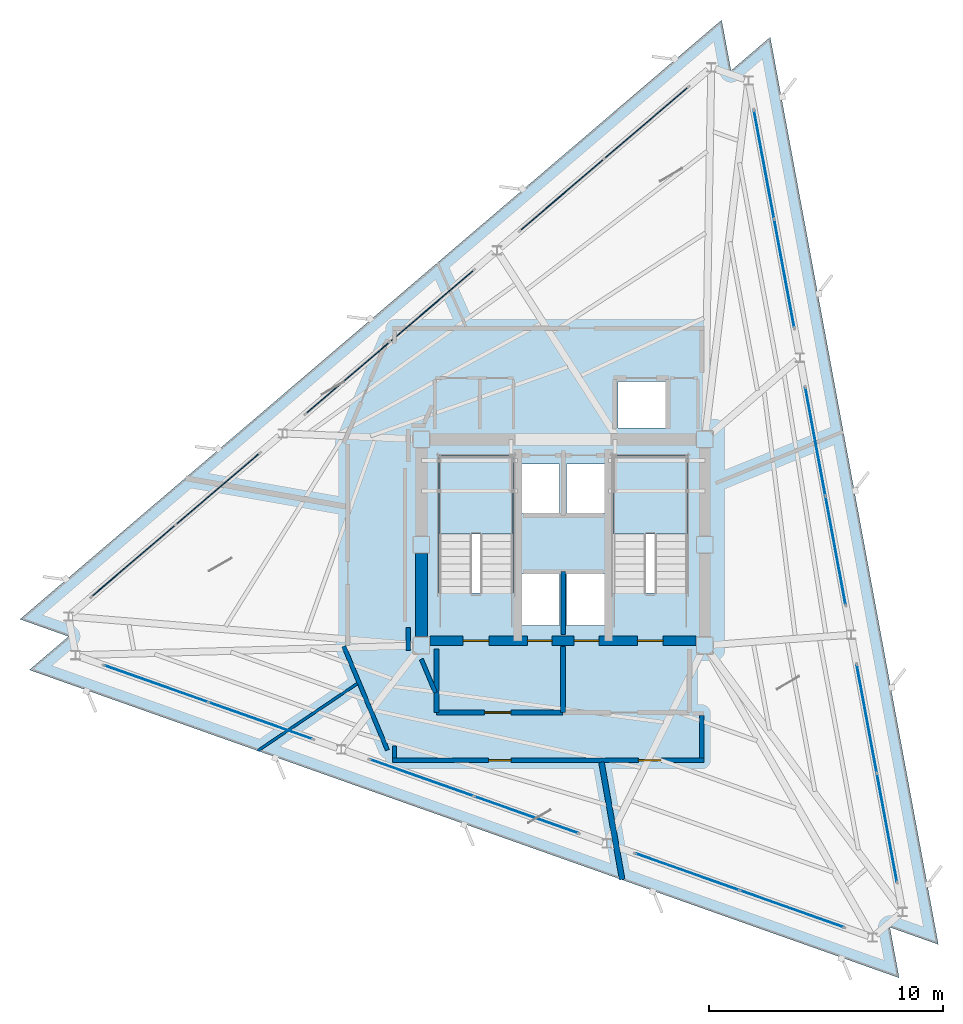
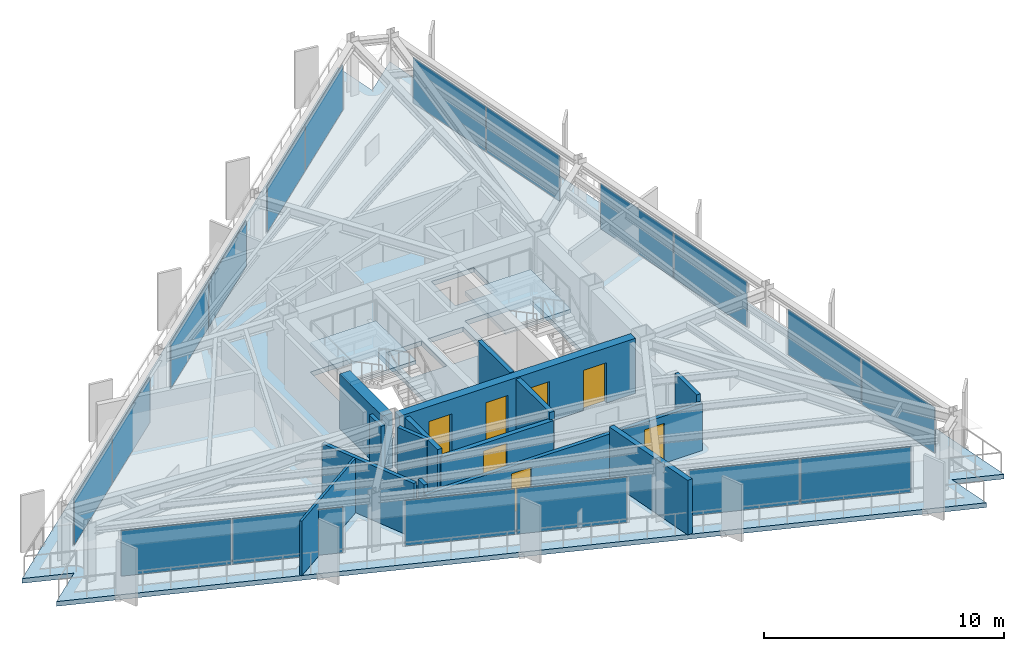
# One storey, part 8 of 14: 18 plates, 14 walls, 7 doors, 3 slabs, 7 openings, 11 elements without a shape of their own.
"""IFC4 building model written with IfcOpenShell, lengths in metres."""

from ifc_helpers import new_model, si_unit, direction, frame, frame_2d, origin, origin_2d, place, context, subcontext, project, spatial, polyline, rectangle, outline, extrude, material, layer, layer_set, type_object, element, fill, aggregate, save


model = new_model("IFC4")

# Units and contexts
model_context = context("Model", 3, precision=1e-05, world=origin(), true_north=direction((0.0, 1.0)))
body_context = subcontext(model_context, "Body", "Model", "MODEL_VIEW")
ifc_project = project(units=[si_unit("LENGTHUNIT", "METRE"), si_unit("AREAUNIT", "SQUARE_METRE"), si_unit("VOLUMEUNIT", "CUBIC_METRE"), si_unit("PLANEANGLEUNIT", "RADIAN"), si_unit("MASSUNIT", "GRAM", prefix="KILO")], contexts=[model_context])

# Site, building, storey
site_placement = place(None, origin())
site = spatial("IfcSite", under=ifc_project, at=site_placement, CompositionType="ELEMENT")
building_placement = place(site_placement, origin())
building = spatial("IfcBuilding", under=site, at=building_placement, Name="Rocaltana Carrier Exchange", CompositionType="ELEMENT")
storey_placement = place(building_placement, frame((0.0, 0.0, 187.52001953125)))
storey = spatial("IfcBuildingStorey", under=building, at=storey_placement, Name="L59", CompositionType="ELEMENT", Elevation=187.52001953125)

# Curtain wall, plates
ifc_material_1 = material(Name="Aluminium 6063-T6", Category="aluminium")
ifc_layer_1 = layer(ifc_material_1, 0.135009765625)
ifc_layer_set_1 = layer_set([ifc_layer_1], Name="Aluminium 6063-T6")
curtain_wall_type = type_object("IfcCurtainWallType", Name="Upper-Mid Acoustic Curtain Wall CW-04", PredefinedType="NOTDEFINED", material=ifc_layer_set_1)
curtain_wall_1_placement = place(storey_placement, origin())
curtain_wall_1 = element("IfcCurtainWall", 1, at=curtain_wall_1_placement, inside=storey, type_object=curtain_wall_type, Name="L59 CW-04 Run CW-L59-F1S1", PredefinedType="NOTDEFINED")
ifc_material_2 = material(Name="Tempered Laminated Glass", Category="glass")
ifc_layer_2 = layer(ifc_material_2, 0.0380859375)
ifc_layer_set_2 = layer_set([ifc_layer_2], Name="Tempered Laminated Glass")
plate_type = type_object("IfcPlateType", Name="CW-04 Stone-Insulated Vision Panel", PredefinedType="CURTAIN_PANEL", material=ifc_layer_set_2)
plate_1_placement = place(storey_placement, frame((13.827392578125, -12.0830078125, 0.06494140625), z_axis=(0.0, 0.0, 1.0), x_axis=(-0.182234247149, 0.98325514449, 0.0)))
plate_1 = element("IfcPlate", 2, at=plate_1_placement, type_object=plate_type, Name="CW-04 panel 1.1", PredefinedType="CURTAIN_PANEL", context=body_context, shape_type="SweptSolid", body=[
    extrude(rectangle(XDim=4.669189453125, YDim=0.0380859375, at=origin_2d()), origin(), (0.0, 0.0, 1.0), 2.318115234375),
])
plate_2_placement = place(storey_placement, frame((12.964599609375, -7.427978515625, 0.06494140625), z_axis=(0.0, 0.0, 1.0), x_axis=(-0.182234247149, 0.98325514449, 0.0)))
plate_2 = element("IfcPlate", 3, at=plate_2_placement, type_object=plate_type, Name="CW-04 panel 2.1", PredefinedType="CURTAIN_PANEL", context=body_context, shape_type="SweptSolid", body=[
    extrude(rectangle(XDim=4.669189453125, YDim=0.0380859375, at=origin_2d()), origin(), (0.0, 0.0, 1.0), 2.318115234375),
])
aggregate(curtain_wall_1, [plate_1, plate_2])

curtain_wall_2_placement = place(storey_placement, origin())
curtain_wall_2 = element("IfcCurtainWall", 4, at=curtain_wall_2_placement, inside=storey, type_object=curtain_wall_type, Name="L59 CW-04 Run CW-L59-F1S2", PredefinedType="NOTDEFINED")
plate_3_placement = place(storey_placement, frame((11.634521484375, -0.2509765625, 0.06494140625), z_axis=(0.0, 0.0, 1.0), x_axis=(-0.182236126712, 0.983254796134, 0.0)))
plate_3 = element("IfcPlate", 5, at=plate_3_placement, type_object=plate_type, Name="CW-04 panel 1.1", PredefinedType="CURTAIN_PANEL", context=body_context, shape_type="SweptSolid", body=[
    extrude(rectangle(XDim=4.669189453125, YDim=0.0380859375, at=origin_2d()), origin(), (0.0, 0.0, 1.0), 2.318115234375),
])
plate_4_placement = place(storey_placement, frame((10.771728515625, 4.40380859375, 0.06494140625), z_axis=(0.0, 0.0, 1.0), x_axis=(-0.182236126712, 0.983254796134, 0.0)))
plate_4 = element("IfcPlate", 6, at=plate_4_placement, type_object=plate_type, Name="CW-04 panel 2.1", PredefinedType="CURTAIN_PANEL", context=body_context, shape_type="SweptSolid", body=[
    extrude(rectangle(XDim=4.669189453125, YDim=0.0380859375, at=origin_2d()), origin(), (0.0, 0.0, 1.0), 2.318115234375),
])
aggregate(curtain_wall_2, [plate_3, plate_4])

curtain_wall_3_placement = place(storey_placement, origin())
curtain_wall_3 = element("IfcCurtainWall", 7, at=curtain_wall_3_placement, inside=storey, type_object=curtain_wall_type, Name="L59 CW-04 Run CW-L59-F1S3", PredefinedType="NOTDEFINED")
plate_5_placement = place(storey_placement, frame((9.441650390625, 11.580810546875, 0.06494140625), z_axis=(0.0, 0.0, 1.0), x_axis=(-0.182236126712, 0.983254796134, 0.0)))
plate_5 = element("IfcPlate", 8, at=plate_5_placement, type_object=plate_type, Name="CW-04 panel 1.1", PredefinedType="CURTAIN_PANEL", context=body_context, shape_type="SweptSolid", body=[
    extrude(rectangle(XDim=4.669189453125, YDim=0.0380859375, at=origin_2d()), origin(), (0.0, 0.0, 1.0), 2.318115234375),
])
plate_6_placement = place(storey_placement, frame((8.578857421875, 16.235595703125, 0.06494140625), z_axis=(0.0, 0.0, 1.0), x_axis=(-0.182236126712, 0.983254796134, 0.0)))
plate_6 = element("IfcPlate", 9, at=plate_6_placement, type_object=plate_type, Name="CW-04 panel 2.1", PredefinedType="CURTAIN_PANEL", context=body_context, shape_type="SweptSolid", body=[
    extrude(rectangle(XDim=4.669189453125, YDim=0.0380859375, at=origin_2d()), origin(), (0.0, 0.0, 1.0), 2.318115234375),
])
aggregate(curtain_wall_3, [plate_5, plate_6])

curtain_wall_4_placement = place(storey_placement, origin())
curtain_wall_4 = element("IfcCurtainWall", 10, at=curtain_wall_4_placement, inside=storey, type_object=curtain_wall_type, Name="L59 CW-04 Run CW-L59-F2S1", PredefinedType="NOTDEFINED")
plate_7_placement = place(storey_placement, frame((3.55029296875, 18.016357421875, 0.06494140625), z_axis=(0.0, 0.0, 1.0), x_axis=(-0.760406053922, -0.649447944918, 0.0)))
plate_7 = element("IfcPlate", 11, at=plate_7_placement, type_object=plate_type, Name="CW-04 panel 1.1", PredefinedType="CURTAIN_PANEL", context=body_context, shape_type="SweptSolid", body=[
    extrude(rectangle(XDim=4.669189453125, YDim=0.0380859375, at=origin_2d()), origin(), (0.0, 0.0, 1.0), 2.318115234375),
])
plate_8_placement = place(storey_placement, frame((-0.049560546875, 14.94189453125, 0.06494140625), z_axis=(0.0, 0.0, 1.0), x_axis=(-0.760406053922, -0.649447944918, 0.0)))
plate_8 = element("IfcPlate", 12, at=plate_8_placement, type_object=plate_type, Name="CW-04 panel 2.1", PredefinedType="CURTAIN_PANEL", context=body_context, shape_type="SweptSolid", body=[
    extrude(rectangle(XDim=4.669189453125, YDim=0.0380859375, at=origin_2d()), origin(), (0.0, 0.0, 1.0), 2.318115234375),
])
aggregate(curtain_wall_4, [plate_7, plate_8])

curtain_wall_5_placement = place(storey_placement, origin())
curtain_wall_5 = element("IfcCurtainWall", 13, at=curtain_wall_5_placement, inside=storey, type_object=curtain_wall_type, Name="L59 CW-04 Run CW-L59-F2S2", PredefinedType="NOTDEFINED")
plate_9_placement = place(storey_placement, frame((-5.599853515625, 10.201416015625, 0.06494140625), z_axis=(0.0, 0.0, 1.0), x_axis=(-0.760400873756, -0.649454010067, 0.0)))
plate_9 = element("IfcPlate", 14, at=plate_9_placement, type_object=plate_type, Name="CW-04 panel 1.1", PredefinedType="CURTAIN_PANEL", context=body_context, shape_type="SweptSolid", body=[
    extrude(rectangle(XDim=4.669189453125, YDim=0.0380859375, at=origin_2d()), origin(), (0.0, 0.0, 1.0), 2.318115234375),
])
plate_10_placement = place(storey_placement, frame((-9.19970703125, 7.126708984375, 0.06494140625), z_axis=(0.0, 0.0, 1.0), x_axis=(-0.760400873756, -0.649454010067, 0.0)))
plate_10 = element("IfcPlate", 15, at=plate_10_placement, type_object=plate_type, Name="CW-04 panel 2.1", PredefinedType="CURTAIN_PANEL", context=body_context, shape_type="SweptSolid", body=[
    extrude(rectangle(XDim=4.669189453125, YDim=0.0380859375, at=origin_2d()), origin(), (0.0, 0.0, 1.0), 2.318115234375),
])
aggregate(curtain_wall_5, [plate_9, plate_10])

curtain_wall_6_placement = place(storey_placement, origin())
curtain_wall_6 = element("IfcCurtainWall", 16, at=curtain_wall_6_placement, inside=storey, type_object=curtain_wall_type, Name="L59 CW-04 Run CW-L59-F2S3", PredefinedType="NOTDEFINED")
plate_11_placement = place(storey_placement, frame((-14.75, 2.38623046875, 0.06494140625), z_axis=(0.0, 0.0, 1.0), x_axis=(-0.760406053922, -0.649447944918, 0.0)))
plate_11 = element("IfcPlate", 17, at=plate_11_placement, type_object=plate_type, Name="CW-04 panel 1.1", PredefinedType="CURTAIN_PANEL", context=body_context, shape_type="SweptSolid", body=[
    extrude(rectangle(XDim=4.669189453125, YDim=0.0380859375, at=origin_2d()), origin(), (0.0, 0.0, 1.0), 2.318115234375),
])
plate_12_placement = place(storey_placement, frame((-18.349853515625, -0.688232421875, 0.06494140625), z_axis=(0.0, 0.0, 1.0), x_axis=(-0.760406053922, -0.649447944918, 0.0)))
plate_12 = element("IfcPlate", 18, at=plate_12_placement, type_object=plate_type, Name="CW-04 panel 2.1", PredefinedType="CURTAIN_PANEL", context=body_context, shape_type="SweptSolid", body=[
    extrude(rectangle(XDim=4.669189453125, YDim=0.0380859375, at=origin_2d()), origin(), (0.0, 0.0, 1.0), 2.318115234375),
])
aggregate(curtain_wall_6, [plate_11, plate_12])

curtain_wall_7_placement = place(storey_placement, origin())
curtain_wall_7 = element("IfcCurtainWall", 19, at=curtain_wall_7_placement, inside=storey, type_object=curtain_wall_type, Name="L59 CW-04 Run CW-L59-F3S1", PredefinedType="NOTDEFINED")
plate_13_placement = place(storey_placement, frame((-17.3779296875, -5.93359375, 0.06494140625), z_axis=(0.0, 0.0, 1.0), x_axis=(0.942645516582, -0.333795491383, 0.0)))
plate_13 = element("IfcPlate", 20, at=plate_13_placement, type_object=plate_type, Name="CW-04 panel 1.1", PredefinedType="CURTAIN_PANEL", context=body_context, shape_type="SweptSolid", body=[
    extrude(rectangle(XDim=4.669189453125, YDim=0.0380859375, at=origin_2d()), origin(), (0.0, 0.0, 1.0), 2.318115234375),
])
plate_14_placement = place(storey_placement, frame((-12.915283203125, -7.513671875, 0.06494140625), z_axis=(0.0, 0.0, 1.0), x_axis=(0.942645516582, -0.333795491383, 0.0)))
plate_14 = element("IfcPlate", 21, at=plate_14_placement, type_object=plate_type, Name="CW-04 panel 2.1", PredefinedType="CURTAIN_PANEL", context=body_context, shape_type="SweptSolid", body=[
    extrude(rectangle(XDim=4.669189453125, YDim=0.0380859375, at=origin_2d()), origin(), (0.0, 0.0, 1.0), 2.318115234375),
])
aggregate(curtain_wall_7, [plate_13, plate_14])

curtain_wall_8_placement = place(storey_placement, origin())
curtain_wall_8 = element("IfcCurtainWall", 22, at=curtain_wall_8_placement, inside=storey, type_object=curtain_wall_type, Name="L59 CW-04 Run CW-L59-F3S2", PredefinedType="NOTDEFINED")
plate_15_placement = place(storey_placement, frame((-6.03466796875, -9.9501953125, 0.06494140625), z_axis=(0.0, 0.0, 1.0), x_axis=(0.942644347833, -0.333798791936, 0.0)))
plate_15 = element("IfcPlate", 23, at=plate_15_placement, type_object=plate_type, Name="CW-04 panel 1.1", PredefinedType="CURTAIN_PANEL", context=body_context, shape_type="SweptSolid", body=[
    extrude(rectangle(XDim=4.669189453125, YDim=0.0380859375, at=origin_2d()), origin(), (0.0, 0.0, 1.0), 2.318115234375),
])
plate_16_placement = place(storey_placement, frame((-1.572021484375, -11.530517578125, 0.06494140625), z_axis=(0.0, 0.0, 1.0), x_axis=(0.942644347833, -0.333798791936, 0.0)))
plate_16 = element("IfcPlate", 24, at=plate_16_placement, type_object=plate_type, Name="CW-04 panel 2.1", PredefinedType="CURTAIN_PANEL", context=body_context, shape_type="SweptSolid", body=[
    extrude(rectangle(XDim=4.669189453125, YDim=0.0380859375, at=origin_2d()), origin(), (0.0, 0.0, 1.0), 2.318115234375),
])
aggregate(curtain_wall_8, [plate_15, plate_16])

curtain_wall_9_placement = place(storey_placement, origin())
curtain_wall_9 = element("IfcCurtainWall", 25, at=curtain_wall_9_placement, inside=storey, type_object=curtain_wall_type, Name="L59 CW-04 Run CW-L59-F3S3", PredefinedType="NOTDEFINED")
plate_17_placement = place(storey_placement, frame((5.308349609375, -13.967041015625, 0.06494140625), z_axis=(0.0, 0.0, 1.0), x_axis=(0.942644347833, -0.333798791936, 0.0)))
plate_17 = element("IfcPlate", 26, at=plate_17_placement, type_object=plate_type, Name="CW-04 panel 1.1", PredefinedType="CURTAIN_PANEL", context=body_context, shape_type="SweptSolid", body=[
    extrude(rectangle(XDim=4.669189453125, YDim=0.0380859375, at=origin_2d()), origin(), (0.0, 0.0, 1.0), 2.318115234375),
])
plate_18_placement = place(storey_placement, frame((9.77099609375, -15.54736328125, 0.06494140625), z_axis=(0.0, 0.0, 1.0), x_axis=(0.942644347833, -0.333798791936, 0.0)))
plate_18 = element("IfcPlate", 27, at=plate_18_placement, type_object=plate_type, Name="CW-04 panel 2.1", PredefinedType="CURTAIN_PANEL", context=body_context, shape_type="SweptSolid", body=[
    extrude(rectangle(XDim=4.669189453125, YDim=0.0380859375, at=origin_2d()), origin(), (0.0, 0.0, 1.0), 2.318115234375),
])
aggregate(curtain_wall_9, [plate_17, plate_18])

# Slab
ifc_material_3 = material(Name="Concrete C50/60", Category="concrete")
ifc_layer_3 = layer(ifc_material_3, 0.239990234375)
ifc_layer_set_3 = layer_set([ifc_layer_3], Name="Concrete C50/60")
slab_type_1 = type_object("IfcSlabType", Name="High-Zone Tower Slab 240", PredefinedType="FLOOR", material=ifc_layer_set_3)
slab_1_placement = place(storey_placement, frame((0.0, 0.0, -0.239990234375)))
element("IfcSlab", 28, at=slab_1_placement, inside=storey, type_object=slab_type_1, Name="L59 Structural Floor Slab", PredefinedType="FLOOR", context=body_context, shape_type="SweptSolid", body=[
    extrude(outline(polyline([(14.349365234375, -18.49462890625), (13.948486328125, -16.33154296875), (16.022216796875, -17.06591796875), (8.84228515625, 21.67431640625), (7.169189453125, 20.24560546875), (6.768310546875, 22.40869140625), (-23.191650390625, -3.1796875), (-21.117919921875, -3.9140625), (-22.790771484375, -5.3427734375), (14.349365234375, -18.49462890625)]), holes=[polyline([(-5.300048828125, -2.06005859375), (-2.139892578125, -2.06005859375), (-2.139892578125, 3.800048828125), (-5.300048828125, 3.800048828125), (-5.300048828125, -2.06005859375)]), polyline([(2.139892578125, -2.06005859375), (5.300048828125, -2.06005859375), (5.300048828125, 3.800048828125), (2.139892578125, 3.800048828125), (2.139892578125, -2.06005859375)]), polyline([(-1.85009765625, -3.449951171875), (-0.14990234375, -3.449951171875), (-0.14990234375, -1.25), (-1.85009765625, -1.25), (-1.85009765625, -3.449951171875)]), polyline([(0.14990234375, -3.449951171875), (1.85009765625, -3.449951171875), (1.85009765625, -1.25), (0.14990234375, -1.25), (0.14990234375, -3.449951171875)]), polyline([(2.35009765625, 4.97998046875), (4.39990234375, 4.97998046875), (4.39990234375, 6.97998046875), (2.35009765625, 6.97998046875), (2.35009765625, 4.97998046875)]), polyline([(-1.85009765625, 1.35009765625), (-0.14990234375, 1.35009765625), (-0.14990234375, 3.449951171875), (-1.85009765625, 3.449951171875), (-1.85009765625, 1.35009765625)]), polyline([(0.14990234375, 1.35009765625), (1.85009765625, 1.35009765625), (1.85009765625, 3.449951171875), (0.14990234375, 3.449951171875), (0.14990234375, 1.35009765625)])]), origin(), (0.0, 0.0, 1.0), 0.239990234375),
])

# Stair, slab
ifc_material_4 = material(Name="Precast concrete C45/55", Category="concrete")
stair_type = type_object("IfcStairType", Name="Standard Dog-Leg Stair 160", PredefinedType="HALF_TURN_STAIR", material=ifc_material_4)
stair_1_placement = place(storey_placement, origin())
stair_1 = element("IfcStair", 29, at=stair_1_placement, inside=storey, type_object=stair_type, Name="L59 Core West Exit Stair ST-1", PredefinedType="HALF_TURN_STAIR")
ifc_material_5 = material(Name="Precast concrete C45/55", Category="concrete")
ifc_layer_4 = layer(ifc_material_5, 0.199951171875)
ifc_layer_set_4 = layer_set([ifc_layer_4], Name="Precast concrete C45/55")
slab_type_2 = type_object("IfcSlabType", Name="Precast Stair Half-Landing 200", PredefinedType="LANDING", material=ifc_layer_set_4)
slab_2_placement = place(storey_placement, frame((0.0, 0.0, 1.320068359375)))
slab_2 = element("IfcSlab", 30, at=slab_2_placement, type_object=slab_type_2, Name="ST-1 landing 1", PredefinedType="LANDING", context=body_context, shape_type="SweptSolid", body=[
    extrude(outline(polyline([(-2.139892578125, 0.4599609375), (-2.139892578125, 3.800048828125), (-5.300048828125, 3.800048828125), (-5.300048828125, 0.4599609375), (-2.139892578125, 0.4599609375)])), origin(), (0.0, 0.0, 1.0), 0.199951171875),
])
aggregate(stair_1, [slab_2])

stair_2_placement = place(storey_placement, origin())
stair_2 = element("IfcStair", 31, at=stair_2_placement, inside=storey, type_object=stair_type, Name="L59 Core East Exit Stair ST-2", PredefinedType="HALF_TURN_STAIR")
slab_3_placement = place(storey_placement, frame((0.0, 0.0, 1.320068359375)))
slab_3 = element("IfcSlab", 32, at=slab_3_placement, type_object=slab_type_2, Name="ST-2 landing 1", PredefinedType="LANDING", context=body_context, shape_type="SweptSolid", body=[
    extrude(outline(polyline([(5.300048828125, 0.4599609375), (5.300048828125, 3.800048828125), (2.139892578125, 3.800048828125), (2.139892578125, 0.4599609375), (5.300048828125, 0.4599609375)])), origin(), (0.0, 0.0, 1.0), 0.199951171875),
])
aggregate(stair_2, [slab_3])

# Wall, openings, doors
ifc_material_6 = material(Name="Concrete C50/60", Category="concrete")
ifc_layer_5 = layer(ifc_material_6, 0.39990234375)
ifc_layer_set_5 = layer_set([ifc_layer_5], Name="Concrete C50/60")
wall_type_1 = type_object("IfcWallType", Name="Core Internal Shear Wall 400", PredefinedType="SHEAR", material=ifc_layer_set_5)
wall_1_placement = place(storey_placement, frame((-5.675048828125, -4.10009765625, 0.0), z_axis=(0.0, 0.0, 1.0), x_axis=(1.0, 0.0, 0.0)))
wall_1 = element("IfcWall", 33, at=wall_1_placement, inside=storey, type_object=wall_type_1, Name="L59 Core Shear Wall CW-S", PredefinedType="SHEAR", context=body_context, shape_type="SweptSolid", body=[
    extrude(rectangle(XDim=11.35009765625, YDim=0.39990234375, at=frame_2d((5.675048828125, 0.0))), origin(), (0.0, 0.0, 1.0), 2.798095703125),
])
opening_1_placement = place(wall_1_placement, frame((1.405029296875, 0.0, 0.0)))
opening_1 = element("IfcOpeningElement", 34, at=opening_1_placement, cuts=wall_1, Name="Opening D-ST110", PredefinedType="OPENING", context=body_context, shape_type="SweptSolid", body=[
    extrude(rectangle(XDim=1.10009765625, YDim=2.0400390625, at=frame_2d((0.550048828125, 1.02001953125))), frame((0.0, 0.2099609375, 0.0), z_axis=(0.0, -1.0, 0.0), x_axis=(1.0, 0.0, 0.0)), (0.0, 0.0, 1.0), 0.419921875),
])
opening_2_placement = place(wall_1_placement, frame((8.844970703125, 0.0, 0.0)))
opening_2 = element("IfcOpeningElement", 35, at=opening_2_placement, cuts=wall_1, Name="Opening D-ST110", PredefinedType="OPENING", context=body_context, shape_type="SweptSolid", body=[
    extrude(rectangle(XDim=1.10009765625, YDim=2.0400390625, at=frame_2d((0.550048828125, 1.02001953125))), frame((0.0, 0.2099609375, 0.0), z_axis=(0.0, -1.0, 0.0), x_axis=(1.0, 0.0, 0.0)), (0.0, 0.0, 1.0), 0.419921875),
])
opening_3_placement = place(wall_1_placement, frame((4.14501953125, 0.0, 0.0)))
opening_3 = element("IfcOpeningElement", 36, at=opening_3_placement, cuts=wall_1, Name="Opening LD-110", PredefinedType="OPENING", context=body_context, shape_type="SweptSolid", body=[
    extrude(rectangle(XDim=1.06005859375, YDim=2.0400390625, at=frame_2d((0.530029296875, 1.02001953125))), frame((0.0, 0.2099609375, 0.0), z_axis=(0.0, -1.0, 0.0), x_axis=(1.0, 0.0, 0.0)), (0.0, 0.0, 1.0), 0.419921875),
])
opening_4_placement = place(wall_1_placement, frame((6.14501953125, 0.0, 0.0)))
opening_4 = element("IfcOpeningElement", 37, at=opening_4_placement, cuts=wall_1, Name="Opening LD-110", PredefinedType="OPENING", context=body_context, shape_type="SweptSolid", body=[
    extrude(rectangle(XDim=1.06005859375, YDim=2.0400390625, at=frame_2d((0.530029296875, 1.02001953125))), frame((0.0, 0.2099609375, 0.0), z_axis=(0.0, -1.0, 0.0), x_axis=(1.0, 0.0, 0.0)), (0.0, 0.0, 1.0), 0.419921875),
])
ifc_material_7 = material(Name="Hollow Metal Fire Door Assembly", Category="steel")
door_type_1 = type_object("IfcDoorType", Name="Exit Stair Fire Door 1100x2040 FD90S", OperationType="NOTDEFINED", PredefinedType="DOOR", material=ifc_material_7)
door_1_placement = place(opening_1_placement, origin())
door_1 = element("IfcDoor", 38, at=door_1_placement, inside=storey, type_object=door_type_1, Name="L59 Exit Stair ST1 Fire Door", OperationType="SINGLE_SWING_RIGHT", OverallHeight=2.0400390625, OverallWidth=1.10009765625, PredefinedType="DOOR", context=body_context, shape_type="SweptSolid", body=[
    extrude(rectangle(XDim=1.10009765625, YDim=2.0400390625, at=frame_2d((0.550048828125, 1.02001953125))), frame((0.0, 0.02490234375, 0.0), z_axis=(0.0, -1.0, 0.0), x_axis=(1.0, 0.0, 0.0)), (0.0, 0.0, 1.0), 0.050048828125),
])
fill(opening_1, door_1)
door_2_placement = place(opening_2_placement, origin())
door_2 = element("IfcDoor", 39, at=door_2_placement, inside=storey, type_object=door_type_1, Name="L59 Exit Stair ST2 Fire Door", OperationType="SINGLE_SWING_LEFT", OverallHeight=2.0400390625, OverallWidth=1.10009765625, PredefinedType="DOOR", context=body_context, shape_type="SweptSolid", body=[
    extrude(rectangle(XDim=1.10009765625, YDim=2.0400390625, at=frame_2d((0.550048828125, 1.02001953125))), frame((0.0, 0.02490234375, 0.0), z_axis=(0.0, -1.0, 0.0), x_axis=(1.0, 0.0, 0.0)), (0.0, 0.0, 1.0), 0.050048828125),
])
fill(opening_2, door_2)
ifc_material_8 = material(Name="Brushed Stainless Sliding Door Leaf", Category="steel")
door_type_2 = type_object("IfcDoorType", Name="Lift Landing Sliding Door 1060x2040", OperationType="NOTDEFINED", PredefinedType="DOOR", material=ifc_material_8)
door_3_placement = place(opening_3_placement, origin())
door_3 = element("IfcDoor", 40, at=door_3_placement, inside=storey, type_object=door_type_2, Name="L59 Firefighting Lift FFL1 Landing Door", OperationType="SLIDING_TO_LEFT", OverallHeight=2.0400390625, OverallWidth=1.06005859375, PredefinedType="DOOR", context=body_context, shape_type="SweptSolid", body=[
    extrude(rectangle(XDim=1.06005859375, YDim=2.0400390625, at=frame_2d((0.530029296875, 1.02001953125))), frame((0.0, 0.02490234375, 0.0), z_axis=(0.0, -1.0, 0.0), x_axis=(1.0, 0.0, 0.0)), (0.0, 0.0, 1.0), 0.050048828125),
])
fill(opening_3, door_3)
door_4_placement = place(opening_4_placement, origin())
door_4 = element("IfcDoor", 41, at=door_4_placement, inside=storey, type_object=door_type_2, Name="L59 Firefighting Lift FFL2 Landing Door", OperationType="SLIDING_TO_RIGHT", OverallHeight=2.0400390625, OverallWidth=1.06005859375, PredefinedType="DOOR", context=body_context, shape_type="SweptSolid", body=[
    extrude(rectangle(XDim=1.06005859375, YDim=2.0400390625, at=frame_2d((0.530029296875, 1.02001953125))), frame((0.0, 0.02490234375, 0.0), z_axis=(0.0, -1.0, 0.0), x_axis=(1.0, 0.0, 0.0)), (0.0, 0.0, 1.0), 0.050048828125),
])
fill(opening_4, door_4)

# Walls
ifc_material_9 = material(Name="Concrete C50/60", Category="concrete")
ifc_layer_6 = layer(ifc_material_9, 0.5)
ifc_layer_set_6 = layer_set([ifc_layer_6], Name="Concrete C50/60")
wall_type_2 = type_object("IfcWallType", Name="Core Shear Wall 500", PredefinedType="SHEAR", material=ifc_layer_set_6)
wall_2_placement = place(storey_placement, frame((-6.050048828125, -3.925048828125, 0.0), z_axis=(0.0, 0.0, 1.0), x_axis=(0.0, 1.0, 0.0)))
element("IfcWall", 42, at=wall_2_placement, inside=storey, type_object=wall_type_2, Name="L59 Core Shear Wall CW-WS", PredefinedType="SHEAR", context=body_context, shape_type="SweptSolid", body=[
    extrude(rectangle(XDim=3.550048828125, YDim=0.5, at=frame_2d((1.77490234375, 0.0))), origin(), (0.0, 0.0, 1.0), 2.798095703125),
])
ifc_material_10 = material(Name="Gypsum & Steel Stud Partition", Category="steel")
ifc_layer_7 = layer(ifc_material_10, 0.179931640625)
ifc_layer_set_7 = layer_set([ifc_layer_7], Name="Gypsum & Steel Stud Partition")
wall_type_3 = type_object("IfcWallType", Name="Corridor Fire Partition 180 EI60", PredefinedType="PARTITIONING", material=ifc_layer_set_7)
wall_3_placement = place(storey_placement, frame((-7.501220703125, -8.768798828125, 0.0), z_axis=(0.0, 0.0, 1.0), x_axis=(-0.387573945081, 0.921838617706, 0.0)))
element("IfcWall", 43, at=wall_3_placement, inside=storey, type_object=wall_type_3, Name="L59 Corridor Partition 1", PredefinedType="PARTITIONING", context=body_context, shape_type="SweptSolid", body=[
    extrude(rectangle(XDim=4.813232421875, YDim=0.179931640625, at=frame_2d((2.40673828125, 0.0))), origin(), (0.0, 0.0, 1.0), 2.77294921875),
])
wall_4_placement = place(storey_placement, frame((-6.610107421875, -3.541259765625, 0.0), z_axis=(0.0, 0.0, 1.0), x_axis=(0.0, -1.0, 0.0)))
element("IfcWall", 44, at=wall_4_placement, inside=storey, type_object=wall_type_3, Name="L59 Corridor Partition 12", PredefinedType="PARTITIONING", context=body_context, shape_type="SweptSolid", body=[
    extrude(rectangle(XDim=0.978759765625, YDim=0.179931640625, at=frame_2d((0.4892578125, 0.0))), origin(), (0.0, 0.0, 1.0), 2.77294921875),
])
wall_5_placement = place(storey_placement, frame((-6.0546875, -4.881591796875, 0.0), z_axis=(0.0, 0.0, 1.0), x_axis=(0.387579540458, -0.921836265189, 0.0)))
element("IfcWall", 45, at=wall_5_placement, inside=storey, type_object=wall_type_3, Name="L59 Corridor Partition 13", PredefinedType="PARTITIONING", context=body_context, shape_type="SweptSolid", body=[
    extrude(rectangle(XDim=1.5546875, YDim=0.179931640625, at=frame_2d((0.77734375, 0.0))), origin(), (0.0, 0.0, 1.0), 2.77294921875),
])
wall_6_placement = place(storey_placement, frame((5.919921875, -7.2900390625, 0.0), z_axis=(0.0, 0.0, 1.0), x_axis=(0.0, -1.0, 0.0)))
element("IfcWall", 46, at=wall_6_placement, inside=storey, type_object=wall_type_3, Name="L59 Corridor Partition 15", PredefinedType="PARTITIONING", context=body_context, shape_type="SweptSolid", body=[
    extrude(rectangle(XDim=1.820068359375, YDim=0.179931640625, at=frame_2d((0.91015625, 0.0))), origin(), (0.0, 0.0, 1.0), 2.77294921875),
])

# Wall, openings, doors
wall_7_placement = place(storey_placement, frame((6.010009765625, -9.199951171875, 0.0), z_axis=(0.0, 0.0, 1.0), x_axis=(-1.0, 0.0, 0.0)))
wall_7 = element("IfcWall", 47, at=wall_7_placement, inside=storey, type_object=wall_type_3, Name="L59 Corridor Partition 16", PredefinedType="PARTITIONING", context=body_context, shape_type="SweptSolid", body=[
    extrude(rectangle(XDim=13.300048828125, YDim=0.179931640625, at=frame_2d((6.64990234375, 0.0))), origin(), (0.0, 0.0, 1.0), 2.39501953125),
])
opening_5_placement = place(wall_7_placement, frame((8.227294921875, 0.0, 0.0)))
opening_5 = element("IfcOpeningElement", 48, at=opening_5_placement, cuts=wall_7, Name="Opening D-RM098", PredefinedType="OPENING", context=body_context, shape_type="SweptSolid", body=[
    extrude(rectangle(XDim=0.9599609375, YDim=2.02001953125, at=frame_2d((0.47998046875, 1.010009765625))), frame((0.0, 0.099853515625, 0.0), z_axis=(0.0, -1.0, 0.0), x_axis=(1.0, 0.0, 0.0)), (0.0, 0.0, 1.0), 0.199951171875),
])
opening_6_placement = place(wall_7_placement, frame((1.83642578125, 0.0, 0.0)))
opening_6 = element("IfcOpeningElement", 49, at=opening_6_placement, cuts=wall_7, Name="Opening D-RM098", PredefinedType="OPENING", context=body_context, shape_type="SweptSolid", body=[
    extrude(rectangle(XDim=0.9599609375, YDim=2.02001953125, at=frame_2d((0.47998046875, 1.010009765625))), frame((0.0, 0.099853515625, 0.0), z_axis=(0.0, -1.0, 0.0), x_axis=(1.0, 0.0, 0.0)), (0.0, 0.0, 1.0), 0.199951171875),
])
ifc_material_11 = material(Name="Engineered Hardwood Timber", Category="wood")
door_type_3 = type_object("IfcDoorType", Name="Workspace Single Door 960x2020", OperationType="NOTDEFINED", PredefinedType="DOOR", material=ifc_material_11)
door_5_placement = place(opening_5_placement, origin())
door_5 = element("IfcDoor", 50, at=door_5_placement, inside=storey, type_object=door_type_3, Name="L59 Network Operations Office Entrance Door", OperationType="SINGLE_SWING_RIGHT", OverallHeight=2.02001953125, OverallWidth=0.9599609375, PredefinedType="DOOR", context=body_context, shape_type="SweptSolid", body=[
    extrude(rectangle(XDim=0.9599609375, YDim=2.02001953125, at=frame_2d((0.47998046875, 1.010009765625))), frame((0.0, 0.02490234375, 0.0), z_axis=(0.0, -1.0, 0.0), x_axis=(1.0, 0.0, 0.0)), (0.0, 0.0, 1.0), 0.050048828125),
])
fill(opening_5, door_5)
door_6_placement = place(opening_6_placement, origin())
door_6 = element("IfcDoor", 51, at=door_6_placement, inside=storey, type_object=door_type_3, Name="L59 Cloud Architecture Office Entrance Door", OperationType="SINGLE_SWING_LEFT", OverallHeight=2.02001953125, OverallWidth=0.9599609375, PredefinedType="DOOR", context=body_context, shape_type="SweptSolid", body=[
    extrude(rectangle(XDim=0.9599609375, YDim=2.02001953125, at=frame_2d((0.47998046875, 1.010009765625))), frame((0.0, 0.02490234375, 0.0), z_axis=(0.0, -1.0, 0.0), x_axis=(1.0, 0.0, 0.0)), (0.0, 0.0, 1.0), 0.050048828125),
])
fill(opening_6, door_6)

# Walls
wall_8_placement = place(storey_placement, frame((-7.199951171875, -9.110107421875, 0.0), z_axis=(0.0, 0.0, 1.0), x_axis=(0.0, 1.0, 0.0)))
element("IfcWall", 52, at=wall_8_placement, inside=storey, type_object=wall_type_3, Name="L59 Corridor Partition 17", PredefinedType="PARTITIONING", context=body_context, shape_type="SweptSolid", body=[
    extrude(rectangle(XDim=0.509521484375, YDim=0.179931640625, at=frame_2d((0.2548828125, 0.0))), origin(), (0.0, 0.0, 1.0), 2.77294921875),
])
ifc_material_12 = material(Name="Aluminium 6063-T6 & Acoustic Glass", Category="aluminium")
ifc_layer_8 = layer(ifc_material_12, 0.114990234375)
ifc_layer_set_8 = layer_set([ifc_layer_8], Name="Aluminium 6063-T6 & Acoustic Glass")
wall_type_4 = type_object("IfcWallType", Name="Demountable Glazed Lab Partition 115", PredefinedType="MOVABLE", material=ifc_layer_set_8)
wall_9_placement = place(storey_placement, frame((-8.78369140625, -5.9248046875, 0.0), z_axis=(0.0, 0.0, 1.0), x_axis=(-0.829060822753, -0.559158432089, 0.0)))
element("IfcWall", 53, at=wall_9_placement, inside=storey, type_object=wall_type_4, Name="L59 Suite Divider Wall D1", PredefinedType="MOVABLE", context=body_context, shape_type="SweptSolid", body=[
    extrude(rectangle(XDim=5.12158203125, YDim=0.114990234375, at=frame_2d((2.560791015625, 0.0))), origin(), (0.0, 0.0, 1.0), 2.77294921875),
])
ifc_material_13 = material(Name="Autoclaved Aerated Concrete C30/37", Category="concrete")
ifc_layer_9 = layer(ifc_material_13, 0.219970703125)
ifc_layer_set_9 = layer_set([ifc_layer_9], Name="Autoclaved Aerated Concrete C30/37")
wall_type_5 = type_object("IfcWallType", Name="Firefighting Lobby Wall 220 EI120", PredefinedType="PARTITIONING", material=ifc_layer_set_9)
wall_10_placement = place(storey_placement, frame((-5.39990234375, -7.159912109375, 0.0), z_axis=(0.0, 0.0, 1.0), x_axis=(0.0, 1.0, 0.0)))
element("IfcWall", 54, at=wall_10_placement, inside=storey, type_object=wall_type_5, Name="L59 FFL Lobby 1 West Wall", PredefinedType="PARTITIONING", context=body_context, shape_type="SweptSolid", body=[
    extrude(rectangle(XDim=2.7099609375, YDim=0.219970703125, at=frame_2d((1.35498046875, 0.0))), origin(), (0.0, 0.0, 1.0), 2.77294921875),
])
wall_11_placement = place(storey_placement, frame((0.0, -7.159912109375, 0.0), z_axis=(0.0, 0.0, 1.0), x_axis=(0.0, 1.0, 0.0)))
element("IfcWall", 55, at=wall_11_placement, inside=storey, type_object=wall_type_5, Name="L59 FFL Lobby Centre Wall", PredefinedType="PARTITIONING", context=body_context, shape_type="SweptSolid", body=[
    extrude(rectangle(XDim=2.809814453125, YDim=0.219970703125, at=frame_2d((1.40478515625, 0.0))), origin(), (0.0, 0.0, 1.0), 2.77294921875),
])

# Wall, opening, door
wall_12_placement = place(storey_placement, frame((-5.39990234375, -7.159912109375, 0.0), z_axis=(0.0, 0.0, 1.0), x_axis=(1.0, 0.0, 0.0)))
wall_12 = element("IfcWall", 56, at=wall_12_placement, inside=storey, type_object=wall_type_5, Name="L59 FFL Lobby 1 South Wall", PredefinedType="PARTITIONING", context=body_context, shape_type="SweptSolid", body=[
    extrude(rectangle(XDim=5.39990234375, YDim=0.219970703125, at=frame_2d((2.699951171875, 0.0))), origin(), (0.0, 0.0, 1.0), 2.39501953125),
])
opening_7_placement = place(wall_12_placement, frame((2.050048828125, 0.0, 0.0)))
opening_7 = element("IfcOpeningElement", 57, at=opening_7_placement, cuts=wall_12, Name="Opening D-FF115", PredefinedType="OPENING", context=body_context, shape_type="SweptSolid", body=[
    extrude(rectangle(XDim=1.1201171875, YDim=2.02001953125, at=frame_2d((0.56005859375, 1.010009765625))), frame((0.0, 0.119873046875, 0.0), z_axis=(0.0, -1.0, 0.0), x_axis=(1.0, 0.0, 0.0)), (0.0, 0.0, 1.0), 0.239990234375),
])
ifc_material_14 = material(Name="Hollow Metal Fire Door Assembly", Category="steel")
door_type_4 = type_object("IfcDoorType", Name="Firefighting Lobby Door 1120x2020 FD60S", OperationType="NOTDEFINED", PredefinedType="DOOR", material=ifc_material_14)
door_7_placement = place(opening_7_placement, origin())
door_7 = element("IfcDoor", 58, at=door_7_placement, inside=storey, type_object=door_type_4, Name="L59 Firefighting Lift Lobby 1 Door", OperationType="SINGLE_SWING_RIGHT", OverallHeight=2.02001953125, OverallWidth=1.1201171875, PredefinedType="DOOR", context=body_context, shape_type="SweptSolid", body=[
    extrude(rectangle(XDim=1.1201171875, YDim=2.02001953125, at=frame_2d((0.56005859375, 1.010009765625))), frame((0.0, 0.02490234375, 0.0), z_axis=(0.0, -1.0, 0.0), x_axis=(1.0, 0.0, 0.0)), (0.0, 0.0, 1.0), 0.050048828125),
])
fill(opening_7, door_7)

# Walls
ifc_material_15 = material(Name="Acoustic Calcium Silicate Partition", Category="gypsum")
ifc_layer_10 = layer(ifc_material_15, 0.239990234375)
ifc_layer_set_10 = layer_set([ifc_layer_10], Name="Acoustic Calcium Silicate Partition")
wall_type_6 = type_object("IfcWallType", Name="Heavy Lab Partition 240 EI90", PredefinedType="PARTITIONING", material=ifc_layer_set_10)
wall_13_placement = place(storey_placement, frame((1.63623046875, -9.280029296875, 0.0), z_axis=(0.0, 0.0, 1.0), x_axis=(0.173634919368, -0.984810090716, 0.0)))
element("IfcWall", 59, at=wall_13_placement, inside=storey, type_object=wall_type_6, Name="L59 Suite Divider Wall D2", PredefinedType="PARTITIONING", context=body_context, shape_type="SweptSolid", body=[
    extrude(rectangle(XDim=5.0927734375, YDim=0.239990234375, at=frame_2d((2.54638671875, 0.0))), origin(), (0.0, 0.0, 1.0), 2.77294921875),
])
ifc_material_16 = material(Name="Reinforced Concrete Block C35/45", Category="concrete")
ifc_layer_11 = layer(ifc_material_16, 0.199951171875)
ifc_layer_set_11 = layer_set([ifc_layer_11], Name="Reinforced Concrete Block C35/45")
wall_type_7 = type_object("IfcWallType", Name="Lift Hoistway Enclosure Wall 200 EI120", PredefinedType="PARTITIONING", material=ifc_layer_set_11)
wall_14_placement = place(storey_placement, frame((0.0, -3.820068359375, 0.0), z_axis=(0.0, 0.0, 1.0), x_axis=(0.0, 1.0, 0.0)))
element("IfcWall", 60, at=wall_14_placement, inside=storey, type_object=wall_type_7, Name="L59 FFL Shaft Divider", PredefinedType="PARTITIONING", context=body_context, shape_type="SweptSolid", body=[
    extrude(rectangle(XDim=2.670166015625, YDim=0.199951171875, at=frame_2d((1.3349609375, 0.0))), origin(), (0.0, 0.0, 1.0), 2.77294921875),
])

save(model, "model.ifc")
